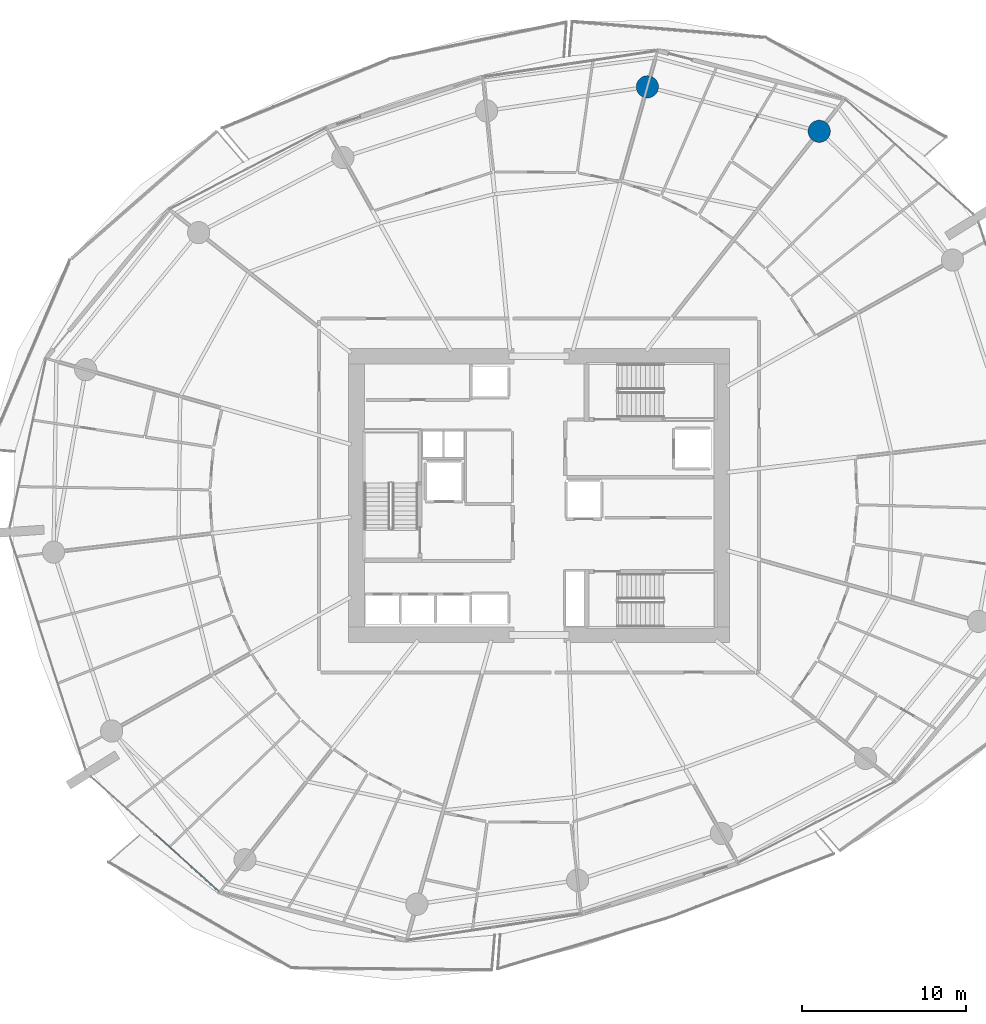
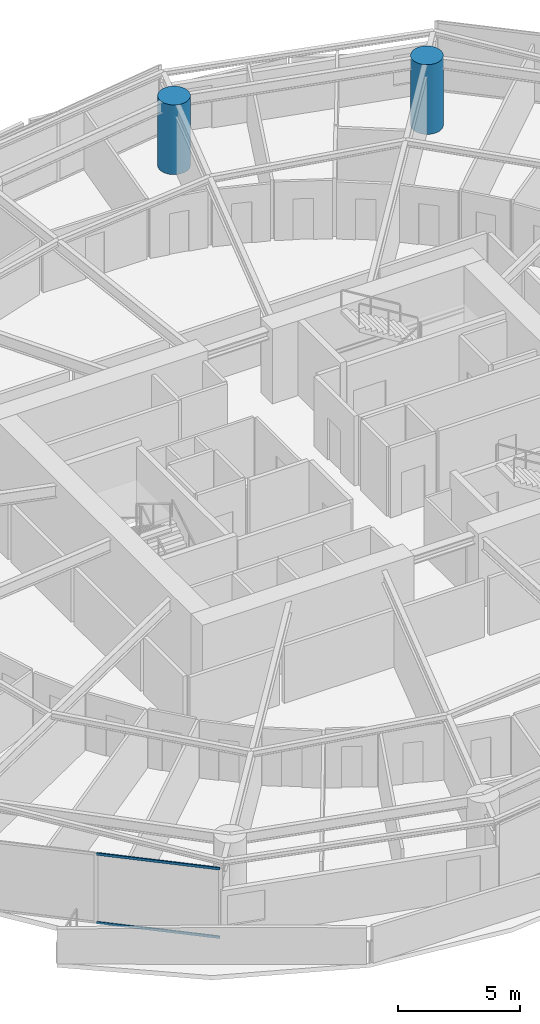
# One storey, part 6 of 30: 2 columns, 2 members, 1 element without a shape of its own.
"""IFC4 building model written with IfcOpenShell, lengths in metres."""

from ifc_helpers import new_model, si_unit, direction, frame, origin, origin_2d, place, context, subcontext, project, spatial, rectangle, circle, extrude, material, layer, layer_set, material_profile, profile_set, type_object, element, aggregate, save


model = new_model("IFC4")

# Units and contexts
model_context = context("Model", 3, precision=1e-05, world=origin(), true_north=direction((0.0, 1.0)))
body_context = subcontext(model_context, "Body", "Model", "MODEL_VIEW")
ifc_project = project(units=[si_unit("LENGTHUNIT", "METRE"), si_unit("AREAUNIT", "SQUARE_METRE"), si_unit("VOLUMEUNIT", "CUBIC_METRE"), si_unit("PLANEANGLEUNIT", "RADIAN"), si_unit("MASSUNIT", "GRAM", prefix="KILO")], contexts=[model_context])

# Site, building, storey
site_placement = place(None, origin())
site = spatial("IfcSite", under=ifc_project, at=site_placement, CompositionType="ELEMENT")
building_placement = place(site_placement, origin())
building = spatial("IfcBuilding", under=site, at=building_placement, Name="Kazma Halo Residences", CompositionType="ELEMENT")
storey_placement = place(building_placement, frame((0.0, 0.0, 56.39990234375)))
storey = spatial("IfcBuildingStorey", under=building, at=storey_placement, Name="L13", CompositionType="ELEMENT", Elevation=56.39990234375)

# Columns
ifc_material_1 = material(Name="Concrete C80/95", Category="concrete")
ifc_material_profile_1 = material_profile(ifc_material_1, circle(Radius=0.675048828125, at=origin_2d()), Name="CIRC1350")
ifc_profile_set_1 = profile_set([ifc_material_profile_1], Name="Concrete C80/95")
column_type = type_object("IfcColumnType", Name="COL-PERIM-1350", PredefinedType="COLUMN", material=ifc_profile_set_1)
for number, where, z_axis, x_axis, name in (
    (1, (65.458251953125, 64.145751953125, 0.0), (0.0, 0.0, 1.0), (1.0, 0.0, 0.0), "L13 perimeter ring column P02"),
    (2, (55.00830078125, 66.849365234375, 0.0), (0.0, 0.0, 1.0), (1.0, 0.0, 0.0), "L13 perimeter ring column P03"),
):
    element("IfcColumn", number, at=place(storey_placement, frame(where, z_axis=z_axis, x_axis=x_axis)), inside=storey, type_object=column_type, Name=name, PredefinedType="COLUMN", context=body_context, shape_type="SweptSolid", body=[
        extrude(circle(Radius=0.675048828125, at=origin_2d()), origin(), (0.0, 0.0, 1.0), 3.5),
    ])

# Curtain wall, members
ifc_material_2 = material(Name="Aluminium AW-6063 T6 and Triple-Silver Low-E Glass", Category="aluminium")
ifc_layer = layer(ifc_material_2, 0.159912109375)
ifc_layer_set = layer_set([ifc_layer], Name="Aluminium AW-6063 T6 and Triple-Silver Low-E Glass")
curtain_wall_type = type_object("IfcCurtainWallType", Name="CW-SYS-2", PredefinedType="NOTDEFINED", material=ifc_layer_set)
curtain_wall_placement = place(storey_placement, origin())
curtain_wall = element("IfcCurtainWall", 3, at=curtain_wall_placement, inside=storey, type_object=curtain_wall_type, Name="L13 unitised curtain wall B09", PredefinedType="NOTDEFINED")
ifc_material_3 = material(Name="Aluminium AW-6063 T6", Category="aluminium")
ifc_material_profile_2 = material_profile(ifc_material_3, rectangle(XDim=0.06005859375, YDim=0.1201171875, at=origin_2d()), Name="CWT-60x120")
ifc_profile_set_2 = profile_set([ifc_material_profile_2], Name="Aluminium AW-6063 T6")
member_type = type_object("IfcMemberType", Name="CW-SYS-2-TRN", PredefinedType="USERDEFINED", material=ifc_profile_set_2)
member_1_placement = place(storey_placement, frame((25.094970703125, 21.3896484375, 0.030029296875), z_axis=(0.744329408538, -0.66781264707, 0.0), x_axis=(0.66781264707, 0.744329408538, 0.0)))
member_1 = element("IfcMember", 4, at=member_1_placement, type_object=member_type, Name="CWS-2 transom 2.1", ObjectType="TRANSOM", PredefinedType="USERDEFINED", context=body_context, shape_type="SweptSolid", body=[
    extrude(rectangle(XDim=0.06005859375, YDim=0.1201171875, at=origin_2d()), origin(), (0.0, 0.0, 1.0), 5.178466796875),
])
member_2_placement = place(storey_placement, frame((25.094970703125, 21.3896484375, 3.47021484375), z_axis=(0.744329408538, -0.66781264707, 0.0), x_axis=(0.66781264707, 0.744329408538, 0.0)))
member_2 = element("IfcMember", 5, at=member_2_placement, type_object=member_type, Name="CWS-2 transom 2.2", ObjectType="TRANSOM", PredefinedType="USERDEFINED", context=body_context, shape_type="SweptSolid", body=[
    extrude(rectangle(XDim=0.06005859375, YDim=0.1201171875, at=origin_2d()), origin(), (0.0, 0.0, 1.0), 5.178466796875),
])
aggregate(curtain_wall, [member_1, member_2])

save(model, "model.ifc")
